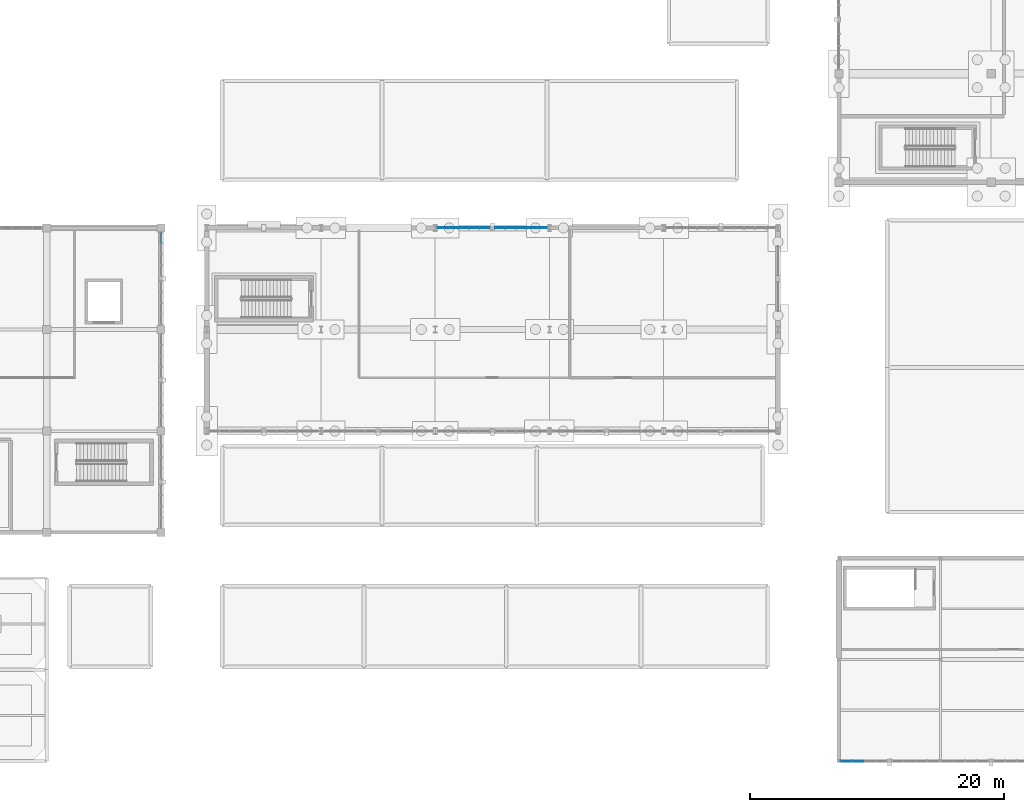
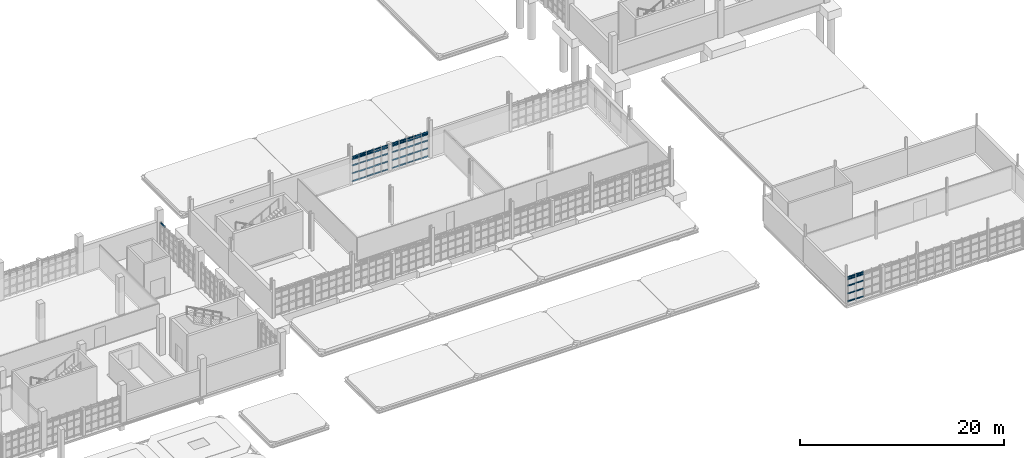
# One storey, part 66 of 125: 61 members, 4 elements without a shape of their own.
"""IFC4 building model written with IfcOpenShell, lengths in metres."""

from ifc_helpers import new_model, si_unit, direction, frame, origin, origin_2d, place, context, subcontext, project, spatial, rectangle, extrude, material, material_profile, profile_set, type_object, element, aggregate, save


model = new_model("IFC4")

# Units and contexts
model_context = context("Model", 3, precision=1e-05, world=origin(), true_north=direction((0.0, 1.0)))
body_context = subcontext(model_context, "Body", "Model", "MODEL_VIEW")
ifc_project = project(units=[si_unit("LENGTHUNIT", "METRE"), si_unit("AREAUNIT", "SQUARE_METRE"), si_unit("VOLUMEUNIT", "CUBIC_METRE"), si_unit("PLANEANGLEUNIT", "RADIAN"), si_unit("MASSUNIT", "GRAM", prefix="KILO")], contexts=[model_context])

# Site, building, storey
site_placement = place(None, origin())
site = spatial("IfcSite", under=ifc_project, at=site_placement, CompositionType="ELEMENT")
building_placement = place(site_placement, origin())
building = spatial("IfcBuilding", under=site, at=building_placement, Name="Serraforn Aerial Cableway Station", CompositionType="ELEMENT")
storey_placement = place(building_placement, frame((0.0, 0.0, 4.5)))
storey = spatial("IfcBuildingStorey", under=building, at=storey_placement, Name="L01", CompositionType="ELEMENT", Elevation=4.5)

# Curtain wall, members
ifc_material_1 = material(Name="Anodised bronze unitised curtain wall")
curtain_wall_type_1 = type_object("IfcCurtainWallType", Name="CW-SYS-3", PredefinedType="USERDEFINED", material=ifc_material_1)
curtain_wall_1_placement = place(storey_placement, origin())
curtain_wall_1 = element("IfcCurtainWall", 1, at=curtain_wall_1_placement, inside=storey, type_object=curtain_wall_type_1, Name="Unitised Curtain Wall CW-ES-L01-S1A", ObjectType="UNITISED CURTAIN WALL", PredefinedType="USERDEFINED")
ifc_material_2 = material(Name="Anodised bronze extruded aluminium", Category="aluminium")
ifc_material_profile_1 = material_profile(ifc_material_2, rectangle(XDim=0.054931640625, YDim=0.110107421875, at=origin_2d()), Name="CW TRANSOM 55x110")
ifc_profile_set_1 = profile_set([ifc_material_profile_1], Name="Anodised bronze extruded aluminium")
member_type_1 = type_object("IfcMemberType", Name="CW-TRN-1", PredefinedType="USERDEFINED", material=ifc_profile_set_1)
member_1_placement = place(storey_placement, frame((144.166015625, 0.0, 1.060791015625), z_axis=(1.0, 0.0, 0.0), x_axis=(0.0, 1.0, 0.0)))
member_1 = element("IfcMember", 2, at=member_1_placement, type_object=member_type_1, Name="Curtain Wall Transom CW-ES-L01-S1A-T1-2", ObjectType="TRANSOM", PredefinedType="USERDEFINED", context=body_context, shape_type="SweptSolid", body=[
    extrude(rectangle(XDim=0.054931640625, YDim=0.110107421875, at=origin_2d()), origin(), (0.0, 0.0, 1.0), 0.826904296875),
])
member_2_placement = place(storey_placement, frame((145.06396484375, 0.0, 0.124755859375), z_axis=(1.0, 0.0, 0.0), x_axis=(0.0, 1.0, 0.0)))
member_2 = element("IfcMember", 3, at=member_2_placement, type_object=member_type_1, Name="Curtain Wall Transom CW-ES-L01-S1A-T2-1", ObjectType="TRANSOM", PredefinedType="USERDEFINED", context=body_context, shape_type="SweptSolid", body=[
    extrude(rectangle(XDim=0.054931640625, YDim=0.110107421875, at=origin_2d()), origin(), (0.0, 0.0, 1.0), 0.86962890625),
])

curtain_wall_type_2 = type_object("IfcCurtainWallType", Name="CW-SYS-15", PredefinedType="USERDEFINED", material=ifc_material_1)
curtain_wall_2_placement = place(storey_placement, origin())
curtain_wall_2 = element("IfcCurtainWall", 4, at=curtain_wall_2_placement, inside=storey, type_object=curtain_wall_type_2, Name="Unitised Curtain Wall CW-EL-L01-N3A", ObjectType="UNITISED CURTAIN WALL", PredefinedType="USERDEFINED")
member_3_placement = place(storey_placement, frame((120.9990234375, 42.0, 2.9951171875), z_axis=(-1.0, 0.0, 0.0), x_axis=(0.0, -1.0, 0.0)))
member_3 = element("IfcMember", 5, at=member_3_placement, type_object=member_type_1, Name="Curtain Wall Transom CW-EL-L01-N3A-T1-5", ObjectType="TRANSOM", PredefinedType="USERDEFINED", context=body_context, shape_type="SweptSolid", body=[
    extrude(rectangle(XDim=0.054931640625, YDim=0.110107421875, at=origin_2d()), origin(), (0.0, 0.0, 1.0), 0.75341796875),
])
member_4_placement = place(storey_placement, frame((120.189697265625, 42.0, 2.74560546875), z_axis=(-1.0, 0.0, 0.0), x_axis=(0.0, -1.0, 0.0)))
member_4 = element("IfcMember", 6, at=member_4_placement, type_object=member_type_1, Name="Curtain Wall Transom CW-EL-L01-N3A-T2-4", ObjectType="TRANSOM", PredefinedType="USERDEFINED", context=body_context, shape_type="SweptSolid", body=[
    extrude(rectangle(XDim=0.054931640625, YDim=0.110107421875, at=origin_2d()), origin(), (0.0, 0.0, 1.0), 0.77587890625),
])
member_5_placement = place(storey_placement, frame((119.352783203125, 42.0, 1.996826171875), z_axis=(-1.0, 0.0, 0.0), x_axis=(0.0, -1.0, 0.0)))
member_5 = element("IfcMember", 7, at=member_5_placement, type_object=member_type_1, Name="Curtain Wall Transom CW-EL-L01-N3A-T3-3", ObjectType="TRANSOM", PredefinedType="USERDEFINED", context=body_context, shape_type="SweptSolid", body=[
    extrude(rectangle(XDim=0.054931640625, YDim=0.110107421875, at=origin_2d()), origin(), (0.0, 0.0, 1.0), 0.77099609375),
])
member_6_placement = place(storey_placement, frame((118.515869140625, 42.0, 1.060791015625), z_axis=(-1.0, 0.0, 0.0), x_axis=(0.0, -1.0, 0.0)))
member_6 = element("IfcMember", 8, at=member_6_placement, type_object=member_type_1, Name="Curtain Wall Transom CW-EL-L01-N3A-T4-2", ObjectType="TRANSOM", PredefinedType="USERDEFINED", context=body_context, shape_type="SweptSolid", body=[
    extrude(rectangle(XDim=0.054931640625, YDim=0.110107421875, at=origin_2d()), origin(), (0.0, 0.0, 1.0), 0.765869140625),
])
member_7_placement = place(storey_placement, frame((117.678955078125, 42.0, 0.124755859375), z_axis=(-1.0, 0.0, 0.0), x_axis=(0.0, -1.0, 0.0)))
member_7 = element("IfcMember", 9, at=member_7_placement, type_object=member_type_1, Name="Curtain Wall Transom CW-EL-L01-N3A-T5-1", ObjectType="TRANSOM", PredefinedType="USERDEFINED", context=body_context, shape_type="SweptSolid", body=[
    extrude(rectangle(XDim=0.054931640625, YDim=0.110107421875, at=origin_2d()), origin(), (0.0, 0.0, 1.0), 0.745849609375),
])

curtain_wall_type_3 = type_object("IfcCurtainWallType", Name="CW-SYS-16", PredefinedType="USERDEFINED", material=ifc_material_1)
curtain_wall_3_placement = place(storey_placement, origin())
curtain_wall_3 = element("IfcCurtainWall", 10, at=curtain_wall_3_placement, inside=storey, type_object=curtain_wall_type_3, Name="Unitised Curtain Wall CW-EL-L01-N3B", ObjectType="UNITISED CURTAIN WALL", PredefinedType="USERDEFINED")
member_8_placement = place(storey_placement, frame((116.4619140625, 42.0, 2.74560546875), z_axis=(-1.0, 0.0, 0.0), x_axis=(0.0, -1.0, 0.0)))
member_8 = element("IfcMember", 11, at=member_8_placement, type_object=member_type_1, Name="Curtain Wall Transom CW-EL-L01-N3B-T1-4", ObjectType="TRANSOM", PredefinedType="USERDEFINED", context=body_context, shape_type="SweptSolid", body=[
    extrude(rectangle(XDim=0.054931640625, YDim=0.110107421875, at=origin_2d()), origin(), (0.0, 0.0, 1.0), 0.745849609375),
])
member_9_placement = place(storey_placement, frame((115.655029296875, 42.0, 1.996826171875), z_axis=(-1.0, 0.0, 0.0), x_axis=(0.0, -1.0, 0.0)))
member_9 = element("IfcMember", 12, at=member_9_placement, type_object=member_type_1, Name="Curtain Wall Transom CW-EL-L01-N3B-T2-3", ObjectType="TRANSOM", PredefinedType="USERDEFINED", context=body_context, shape_type="SweptSolid", body=[
    extrude(rectangle(XDim=0.054931640625, YDim=0.110107421875, at=origin_2d()), origin(), (0.0, 0.0, 1.0), 0.770751953125),
])
member_10_placement = place(storey_placement, frame((114.818115234375, 42.0, 1.060791015625), z_axis=(-1.0, 0.0, 0.0), x_axis=(0.0, -1.0, 0.0)))
member_10 = element("IfcMember", 13, at=member_10_placement, type_object=member_type_1, Name="Curtain Wall Transom CW-EL-L01-N3B-T3-2", ObjectType="TRANSOM", PredefinedType="USERDEFINED", context=body_context, shape_type="SweptSolid", body=[
    extrude(rectangle(XDim=0.054931640625, YDim=0.110107421875, at=origin_2d()), origin(), (0.0, 0.0, 1.0), 0.765869140625),
])
member_11_placement = place(storey_placement, frame((113.981201171875, 42.0, 0.124755859375), z_axis=(-1.0, 0.0, 0.0), x_axis=(0.0, -1.0, 0.0)))
member_11 = element("IfcMember", 14, at=member_11_placement, type_object=member_type_1, Name="Curtain Wall Transom CW-EL-L01-N3B-T4-1", ObjectType="TRANSOM", PredefinedType="USERDEFINED", context=body_context, shape_type="SweptSolid", body=[
    extrude(rectangle(XDim=0.054931640625, YDim=0.110107421875, at=origin_2d()), origin(), (0.0, 0.0, 1.0), 0.773193359375),
])
member_12_placement = place(storey_placement, frame((113.156982421875, 42.0, 2.9951171875), z_axis=(-1.0, 0.0, 0.0), x_axis=(0.0, -1.0, 0.0)))
member_12 = element("IfcMember", 15, at=member_12_placement, type_object=member_type_1, Name="Curtain Wall Transom CW-EL-L01-N3B-T5-5", ObjectType="TRANSOM", PredefinedType="USERDEFINED", context=body_context, shape_type="SweptSolid", body=[
    extrude(rectangle(XDim=0.054931640625, YDim=0.110107421875, at=origin_2d()), origin(), (0.0, 0.0, 1.0), 0.7509765625),
])

# Member
ifc_material_profile_2 = material_profile(ifc_material_2, rectangle(XDim=0.06005859375, YDim=0.1201171875, at=origin_2d()), Name="CW TRANSOM 60x120")
ifc_profile_set_2 = profile_set([ifc_material_profile_2], Name="Anodised bronze extruded aluminium")
member_type_2 = type_object("IfcMemberType", Name="CW-TRN-2", PredefinedType="USERDEFINED", material=ifc_profile_set_2)
member_13_placement = place(storey_placement, frame((144.166015625, 0.0, 1.996826171875), z_axis=(1.0, 0.0, 0.0), x_axis=(0.0, 1.0, 0.0)))
member_13 = element("IfcMember", 16, at=member_13_placement, type_object=member_type_2, Name="Curtain Wall Transom CW-ES-L01-S1A-T1-3", ObjectType="TRANSOM", PredefinedType="USERDEFINED", context=body_context, shape_type="SweptSolid", body=[
    extrude(rectangle(XDim=0.06005859375, YDim=0.1201171875, at=origin_2d()), origin(), (0.0, 0.0, 1.0), 0.826904296875),
])

member_14_placement = place(storey_placement, frame((145.06396484375, 0.0, 1.060791015625), z_axis=(1.0, 0.0, 0.0), x_axis=(0.0, 1.0, 0.0)))
member_14 = element("IfcMember", 17, at=member_14_placement, type_object=member_type_2, Name="Curtain Wall Transom CW-ES-L01-S1A-T2-2", ObjectType="TRANSOM", PredefinedType="USERDEFINED", context=body_context, shape_type="SweptSolid", body=[
    extrude(rectangle(XDim=0.06005859375, YDim=0.1201171875, at=origin_2d()), origin(), (0.0, 0.0, 1.0), 0.86962890625),
])

member_15_placement = place(storey_placement, frame((120.9990234375, 42.0, 0.124755859375), z_axis=(-1.0, 0.0, 0.0), x_axis=(0.0, -1.0, 0.0)))
member_15 = element("IfcMember", 18, at=member_15_placement, type_object=member_type_2, Name="Curtain Wall Transom CW-EL-L01-N3A-T1-1", ObjectType="TRANSOM", PredefinedType="USERDEFINED", context=body_context, shape_type="SweptSolid", body=[
    extrude(rectangle(XDim=0.06005859375, YDim=0.1201171875, at=origin_2d()), origin(), (0.0, 0.0, 1.0), 0.75341796875),
])

member_16_placement = place(storey_placement, frame((120.189697265625, 42.0, 2.9951171875), z_axis=(-1.0, 0.0, 0.0), x_axis=(0.0, -1.0, 0.0)))
member_16 = element("IfcMember", 19, at=member_16_placement, type_object=member_type_2, Name="Curtain Wall Transom CW-EL-L01-N3A-T2-5", ObjectType="TRANSOM", PredefinedType="USERDEFINED", context=body_context, shape_type="SweptSolid", body=[
    extrude(rectangle(XDim=0.06005859375, YDim=0.1201171875, at=origin_2d()), origin(), (0.0, 0.0, 1.0), 0.77587890625),
])

member_17_placement = place(storey_placement, frame((119.352783203125, 42.0, 2.74560546875), z_axis=(-1.0, 0.0, 0.0), x_axis=(0.0, -1.0, 0.0)))
member_17 = element("IfcMember", 20, at=member_17_placement, type_object=member_type_2, Name="Curtain Wall Transom CW-EL-L01-N3A-T3-4", ObjectType="TRANSOM", PredefinedType="USERDEFINED", context=body_context, shape_type="SweptSolid", body=[
    extrude(rectangle(XDim=0.06005859375, YDim=0.1201171875, at=origin_2d()), origin(), (0.0, 0.0, 1.0), 0.77099609375),
])

member_18_placement = place(storey_placement, frame((118.515869140625, 42.0, 1.996826171875), z_axis=(-1.0, 0.0, 0.0), x_axis=(0.0, -1.0, 0.0)))
member_18 = element("IfcMember", 21, at=member_18_placement, type_object=member_type_2, Name="Curtain Wall Transom CW-EL-L01-N3A-T4-3", ObjectType="TRANSOM", PredefinedType="USERDEFINED", context=body_context, shape_type="SweptSolid", body=[
    extrude(rectangle(XDim=0.06005859375, YDim=0.1201171875, at=origin_2d()), origin(), (0.0, 0.0, 1.0), 0.765869140625),
])

member_19_placement = place(storey_placement, frame((117.678955078125, 42.0, 1.060791015625), z_axis=(-1.0, 0.0, 0.0), x_axis=(0.0, -1.0, 0.0)))
member_19 = element("IfcMember", 22, at=member_19_placement, type_object=member_type_2, Name="Curtain Wall Transom CW-EL-L01-N3A-T5-2", ObjectType="TRANSOM", PredefinedType="USERDEFINED", context=body_context, shape_type="SweptSolid", body=[
    extrude(rectangle(XDim=0.06005859375, YDim=0.1201171875, at=origin_2d()), origin(), (0.0, 0.0, 1.0), 0.745849609375),
])

member_20_placement = place(storey_placement, frame((116.4619140625, 42.0, 2.9951171875), z_axis=(-1.0, 0.0, 0.0), x_axis=(0.0, -1.0, 0.0)))
member_20 = element("IfcMember", 23, at=member_20_placement, type_object=member_type_2, Name="Curtain Wall Transom CW-EL-L01-N3B-T1-5", ObjectType="TRANSOM", PredefinedType="USERDEFINED", context=body_context, shape_type="SweptSolid", body=[
    extrude(rectangle(XDim=0.06005859375, YDim=0.1201171875, at=origin_2d()), origin(), (0.0, 0.0, 1.0), 0.745849609375),
])

member_21_placement = place(storey_placement, frame((115.655029296875, 42.0, 2.74560546875), z_axis=(-1.0, 0.0, 0.0), x_axis=(0.0, -1.0, 0.0)))
member_21 = element("IfcMember", 24, at=member_21_placement, type_object=member_type_2, Name="Curtain Wall Transom CW-EL-L01-N3B-T2-4", ObjectType="TRANSOM", PredefinedType="USERDEFINED", context=body_context, shape_type="SweptSolid", body=[
    extrude(rectangle(XDim=0.06005859375, YDim=0.1201171875, at=origin_2d()), origin(), (0.0, 0.0, 1.0), 0.770751953125),
])

member_22_placement = place(storey_placement, frame((114.818115234375, 42.0, 1.996826171875), z_axis=(-1.0, 0.0, 0.0), x_axis=(0.0, -1.0, 0.0)))
member_22 = element("IfcMember", 25, at=member_22_placement, type_object=member_type_2, Name="Curtain Wall Transom CW-EL-L01-N3B-T3-3", ObjectType="TRANSOM", PredefinedType="USERDEFINED", context=body_context, shape_type="SweptSolid", body=[
    extrude(rectangle(XDim=0.06005859375, YDim=0.1201171875, at=origin_2d()), origin(), (0.0, 0.0, 1.0), 0.765869140625),
])

member_23_placement = place(storey_placement, frame((113.981201171875, 42.0, 1.060791015625), z_axis=(-1.0, 0.0, 0.0), x_axis=(0.0, -1.0, 0.0)))
member_23 = element("IfcMember", 26, at=member_23_placement, type_object=member_type_2, Name="Curtain Wall Transom CW-EL-L01-N3B-T4-2", ObjectType="TRANSOM", PredefinedType="USERDEFINED", context=body_context, shape_type="SweptSolid", body=[
    extrude(rectangle(XDim=0.06005859375, YDim=0.1201171875, at=origin_2d()), origin(), (0.0, 0.0, 1.0), 0.773193359375),
])

member_24_placement = place(storey_placement, frame((113.156982421875, 42.0, 0.124755859375), z_axis=(-1.0, 0.0, 0.0), x_axis=(0.0, -1.0, 0.0)))
member_24 = element("IfcMember", 27, at=member_24_placement, type_object=member_type_2, Name="Curtain Wall Transom CW-EL-L01-N3B-T5-1", ObjectType="TRANSOM", PredefinedType="USERDEFINED", context=body_context, shape_type="SweptSolid", body=[
    extrude(rectangle(XDim=0.06005859375, YDim=0.1201171875, at=origin_2d()), origin(), (0.0, 0.0, 1.0), 0.7509765625),
])

ifc_material_profile_3 = material_profile(ifc_material_2, rectangle(XDim=0.06494140625, YDim=0.135009765625, at=origin_2d()), Name="CW TRANSOM 65x135")
ifc_profile_set_3 = profile_set([ifc_material_profile_3], Name="Anodised bronze extruded aluminium")
member_type_3 = type_object("IfcMemberType", Name="CW-TRN-3", PredefinedType="USERDEFINED", material=ifc_profile_set_3)
member_25_placement = place(storey_placement, frame((144.166015625, 0.0, 2.74560546875), z_axis=(1.0, 0.0, 0.0), x_axis=(0.0, 1.0, 0.0)))
member_25 = element("IfcMember", 28, at=member_25_placement, type_object=member_type_3, Name="Curtain Wall Transom CW-ES-L01-S1A-T1-4", ObjectType="TRANSOM", PredefinedType="USERDEFINED", context=body_context, shape_type="SweptSolid", body=[
    extrude(rectangle(XDim=0.06494140625, YDim=0.135009765625, at=origin_2d()), origin(), (0.0, 0.0, 1.0), 0.826904296875),
])

member_26_placement = place(storey_placement, frame((145.06396484375, 0.0, 1.996826171875), z_axis=(1.0, 0.0, 0.0), x_axis=(0.0, 1.0, 0.0)))
member_26 = element("IfcMember", 29, at=member_26_placement, type_object=member_type_3, Name="Curtain Wall Transom CW-ES-L01-S1A-T2-3", ObjectType="TRANSOM", PredefinedType="USERDEFINED", context=body_context, shape_type="SweptSolid", body=[
    extrude(rectangle(XDim=0.06494140625, YDim=0.135009765625, at=origin_2d()), origin(), (0.0, 0.0, 1.0), 0.86962890625),
])

member_27_placement = place(storey_placement, frame((120.9990234375, 42.0, 1.060791015625), z_axis=(-1.0, 0.0, 0.0), x_axis=(0.0, -1.0, 0.0)))
member_27 = element("IfcMember", 30, at=member_27_placement, type_object=member_type_3, Name="Curtain Wall Transom CW-EL-L01-N3A-T1-2", ObjectType="TRANSOM", PredefinedType="USERDEFINED", context=body_context, shape_type="SweptSolid", body=[
    extrude(rectangle(XDim=0.06494140625, YDim=0.135009765625, at=origin_2d()), origin(), (0.0, 0.0, 1.0), 0.75341796875),
])

member_28_placement = place(storey_placement, frame((120.189697265625, 42.0, 0.124755859375), z_axis=(-1.0, 0.0, 0.0), x_axis=(0.0, -1.0, 0.0)))
member_28 = element("IfcMember", 31, at=member_28_placement, type_object=member_type_3, Name="Curtain Wall Transom CW-EL-L01-N3A-T2-1", ObjectType="TRANSOM", PredefinedType="USERDEFINED", context=body_context, shape_type="SweptSolid", body=[
    extrude(rectangle(XDim=0.06494140625, YDim=0.135009765625, at=origin_2d()), origin(), (0.0, 0.0, 1.0), 0.77587890625),
])

member_29_placement = place(storey_placement, frame((119.352783203125, 42.0, 2.9951171875), z_axis=(-1.0, 0.0, 0.0), x_axis=(0.0, -1.0, 0.0)))
member_29 = element("IfcMember", 32, at=member_29_placement, type_object=member_type_3, Name="Curtain Wall Transom CW-EL-L01-N3A-T3-5", ObjectType="TRANSOM", PredefinedType="USERDEFINED", context=body_context, shape_type="SweptSolid", body=[
    extrude(rectangle(XDim=0.06494140625, YDim=0.135009765625, at=origin_2d()), origin(), (0.0, 0.0, 1.0), 0.77099609375),
])

member_30_placement = place(storey_placement, frame((118.515869140625, 42.0, 2.74560546875), z_axis=(-1.0, 0.0, 0.0), x_axis=(0.0, -1.0, 0.0)))
member_30 = element("IfcMember", 33, at=member_30_placement, type_object=member_type_3, Name="Curtain Wall Transom CW-EL-L01-N3A-T4-4", ObjectType="TRANSOM", PredefinedType="USERDEFINED", context=body_context, shape_type="SweptSolid", body=[
    extrude(rectangle(XDim=0.06494140625, YDim=0.135009765625, at=origin_2d()), origin(), (0.0, 0.0, 1.0), 0.765869140625),
])

member_31_placement = place(storey_placement, frame((117.678955078125, 42.0, 1.996826171875), z_axis=(-1.0, 0.0, 0.0), x_axis=(0.0, -1.0, 0.0)))
member_31 = element("IfcMember", 34, at=member_31_placement, type_object=member_type_3, Name="Curtain Wall Transom CW-EL-L01-N3A-T5-3", ObjectType="TRANSOM", PredefinedType="USERDEFINED", context=body_context, shape_type="SweptSolid", body=[
    extrude(rectangle(XDim=0.06494140625, YDim=0.135009765625, at=origin_2d()), origin(), (0.0, 0.0, 1.0), 0.745849609375),
])

member_32_placement = place(storey_placement, frame((116.4619140625, 42.0, 0.124755859375), z_axis=(-1.0, 0.0, 0.0), x_axis=(0.0, -1.0, 0.0)))
member_32 = element("IfcMember", 35, at=member_32_placement, type_object=member_type_3, Name="Curtain Wall Transom CW-EL-L01-N3B-T1-1", ObjectType="TRANSOM", PredefinedType="USERDEFINED", context=body_context, shape_type="SweptSolid", body=[
    extrude(rectangle(XDim=0.06494140625, YDim=0.135009765625, at=origin_2d()), origin(), (0.0, 0.0, 1.0), 0.745849609375),
])

member_33_placement = place(storey_placement, frame((115.655029296875, 42.0, 2.9951171875), z_axis=(-1.0, 0.0, 0.0), x_axis=(0.0, -1.0, 0.0)))
member_33 = element("IfcMember", 36, at=member_33_placement, type_object=member_type_3, Name="Curtain Wall Transom CW-EL-L01-N3B-T2-5", ObjectType="TRANSOM", PredefinedType="USERDEFINED", context=body_context, shape_type="SweptSolid", body=[
    extrude(rectangle(XDim=0.06494140625, YDim=0.135009765625, at=origin_2d()), origin(), (0.0, 0.0, 1.0), 0.770751953125),
])

member_34_placement = place(storey_placement, frame((114.818115234375, 42.0, 2.74560546875), z_axis=(-1.0, 0.0, 0.0), x_axis=(0.0, -1.0, 0.0)))
member_34 = element("IfcMember", 37, at=member_34_placement, type_object=member_type_3, Name="Curtain Wall Transom CW-EL-L01-N3B-T3-4", ObjectType="TRANSOM", PredefinedType="USERDEFINED", context=body_context, shape_type="SweptSolid", body=[
    extrude(rectangle(XDim=0.06494140625, YDim=0.135009765625, at=origin_2d()), origin(), (0.0, 0.0, 1.0), 0.765869140625),
])

member_35_placement = place(storey_placement, frame((113.981201171875, 42.0, 1.996826171875), z_axis=(-1.0, 0.0, 0.0), x_axis=(0.0, -1.0, 0.0)))
member_35 = element("IfcMember", 38, at=member_35_placement, type_object=member_type_3, Name="Curtain Wall Transom CW-EL-L01-N3B-T4-3", ObjectType="TRANSOM", PredefinedType="USERDEFINED", context=body_context, shape_type="SweptSolid", body=[
    extrude(rectangle(XDim=0.06494140625, YDim=0.135009765625, at=origin_2d()), origin(), (0.0, 0.0, 1.0), 0.773193359375),
])

member_36_placement = place(storey_placement, frame((113.156982421875, 42.0, 1.060791015625), z_axis=(-1.0, 0.0, 0.0), x_axis=(0.0, -1.0, 0.0)))
member_36 = element("IfcMember", 39, at=member_36_placement, type_object=member_type_3, Name="Curtain Wall Transom CW-EL-L01-N3B-T5-2", ObjectType="TRANSOM", PredefinedType="USERDEFINED", context=body_context, shape_type="SweptSolid", body=[
    extrude(rectangle(XDim=0.06494140625, YDim=0.135009765625, at=origin_2d()), origin(), (0.0, 0.0, 1.0), 0.7509765625),
])

# Curtain wall, member
curtain_wall_type_4 = type_object("IfcCurtainWallType", Name="CW-SYS-6", PredefinedType="USERDEFINED", material=ifc_material_1)
curtain_wall_4_placement = place(storey_placement, origin())
curtain_wall_4 = element("IfcCurtainWall", 40, at=curtain_wall_4_placement, inside=storey, type_object=curtain_wall_type_4, Name="Unitised Curtain Wall CW-CV-L01-E3B", ObjectType="UNITISED CURTAIN WALL", PredefinedType="USERDEFINED")
ifc_material_profile_4 = material_profile(ifc_material_2, rectangle(XDim=0.070068359375, YDim=0.14990234375, at=origin_2d()), Name="CW TRANSOM 70x150")
ifc_profile_set_4 = profile_set([ifc_material_profile_4], Name="Anodised bronze extruded aluminium")
member_type_4 = type_object("IfcMemberType", Name="CW-TRN-4", PredefinedType="USERDEFINED", material=ifc_profile_set_4)
member_37_placement = place(storey_placement, frame((90.60009765625, 40.835693359375, 2.9951171875), z_axis=(0.0, 1.0, 0.0), x_axis=(-1.0, 0.0, 0.0)))
member_37 = element("IfcMember", 41, at=member_37_placement, type_object=member_type_4, Name="Curtain Wall Transom CW-CV-L01-E3B-T4-5", ObjectType="TRANSOM", PredefinedType="USERDEFINED", context=body_context, shape_type="SweptSolid", body=[
    extrude(rectangle(XDim=0.070068359375, YDim=0.14990234375, at=origin_2d()), origin(), (0.0, 0.0, 1.0), 0.768310546875),
])
aggregate(curtain_wall_4, [member_37])

# Member
member_38_placement = place(storey_placement, frame((144.166015625, 0.0, 2.9951171875), z_axis=(1.0, 0.0, 0.0), x_axis=(0.0, 1.0, 0.0)))
member_38 = element("IfcMember", 42, at=member_38_placement, type_object=member_type_4, Name="Curtain Wall Transom CW-ES-L01-S1A-T1-5", ObjectType="TRANSOM", PredefinedType="USERDEFINED", context=body_context, shape_type="SweptSolid", body=[
    extrude(rectangle(XDim=0.070068359375, YDim=0.14990234375, at=origin_2d()), origin(), (0.0, 0.0, 1.0), 0.826904296875),
])

member_39_placement = place(storey_placement, frame((145.06396484375, 0.0, 2.74560546875), z_axis=(1.0, 0.0, 0.0), x_axis=(0.0, 1.0, 0.0)))
member_39 = element("IfcMember", 43, at=member_39_placement, type_object=member_type_4, Name="Curtain Wall Transom CW-ES-L01-S1A-T2-4", ObjectType="TRANSOM", PredefinedType="USERDEFINED", context=body_context, shape_type="SweptSolid", body=[
    extrude(rectangle(XDim=0.070068359375, YDim=0.14990234375, at=origin_2d()), origin(), (0.0, 0.0, 1.0), 0.86962890625),
])

member_40_placement = place(storey_placement, frame((120.9990234375, 42.0, 1.996826171875), z_axis=(-1.0, 0.0, 0.0), x_axis=(0.0, -1.0, 0.0)))
member_40 = element("IfcMember", 44, at=member_40_placement, type_object=member_type_4, Name="Curtain Wall Transom CW-EL-L01-N3A-T1-3", ObjectType="TRANSOM", PredefinedType="USERDEFINED", context=body_context, shape_type="SweptSolid", body=[
    extrude(rectangle(XDim=0.070068359375, YDim=0.14990234375, at=origin_2d()), origin(), (0.0, 0.0, 1.0), 0.75341796875),
])

member_41_placement = place(storey_placement, frame((120.189697265625, 42.0, 1.060791015625), z_axis=(-1.0, 0.0, 0.0), x_axis=(0.0, -1.0, 0.0)))
member_41 = element("IfcMember", 45, at=member_41_placement, type_object=member_type_4, Name="Curtain Wall Transom CW-EL-L01-N3A-T2-2", ObjectType="TRANSOM", PredefinedType="USERDEFINED", context=body_context, shape_type="SweptSolid", body=[
    extrude(rectangle(XDim=0.070068359375, YDim=0.14990234375, at=origin_2d()), origin(), (0.0, 0.0, 1.0), 0.77587890625),
])

member_42_placement = place(storey_placement, frame((119.352783203125, 42.0, 0.124755859375), z_axis=(-1.0, 0.0, 0.0), x_axis=(0.0, -1.0, 0.0)))
member_42 = element("IfcMember", 46, at=member_42_placement, type_object=member_type_4, Name="Curtain Wall Transom CW-EL-L01-N3A-T3-1", ObjectType="TRANSOM", PredefinedType="USERDEFINED", context=body_context, shape_type="SweptSolid", body=[
    extrude(rectangle(XDim=0.070068359375, YDim=0.14990234375, at=origin_2d()), origin(), (0.0, 0.0, 1.0), 0.77099609375),
])

member_43_placement = place(storey_placement, frame((118.515869140625, 42.0, 2.9951171875), z_axis=(-1.0, 0.0, 0.0), x_axis=(0.0, -1.0, 0.0)))
member_43 = element("IfcMember", 47, at=member_43_placement, type_object=member_type_4, Name="Curtain Wall Transom CW-EL-L01-N3A-T4-5", ObjectType="TRANSOM", PredefinedType="USERDEFINED", context=body_context, shape_type="SweptSolid", body=[
    extrude(rectangle(XDim=0.070068359375, YDim=0.14990234375, at=origin_2d()), origin(), (0.0, 0.0, 1.0), 0.765869140625),
])

member_44_placement = place(storey_placement, frame((117.678955078125, 42.0, 2.74560546875), z_axis=(-1.0, 0.0, 0.0), x_axis=(0.0, -1.0, 0.0)))
member_44 = element("IfcMember", 48, at=member_44_placement, type_object=member_type_4, Name="Curtain Wall Transom CW-EL-L01-N3A-T5-4", ObjectType="TRANSOM", PredefinedType="USERDEFINED", context=body_context, shape_type="SweptSolid", body=[
    extrude(rectangle(XDim=0.070068359375, YDim=0.14990234375, at=origin_2d()), origin(), (0.0, 0.0, 1.0), 0.745849609375),
])

member_45_placement = place(storey_placement, frame((116.4619140625, 42.0, 1.060791015625), z_axis=(-1.0, 0.0, 0.0), x_axis=(0.0, -1.0, 0.0)))
member_45 = element("IfcMember", 49, at=member_45_placement, type_object=member_type_4, Name="Curtain Wall Transom CW-EL-L01-N3B-T1-2", ObjectType="TRANSOM", PredefinedType="USERDEFINED", context=body_context, shape_type="SweptSolid", body=[
    extrude(rectangle(XDim=0.070068359375, YDim=0.14990234375, at=origin_2d()), origin(), (0.0, 0.0, 1.0), 0.745849609375),
])

member_46_placement = place(storey_placement, frame((115.655029296875, 42.0, 0.124755859375), z_axis=(-1.0, 0.0, 0.0), x_axis=(0.0, -1.0, 0.0)))
member_46 = element("IfcMember", 50, at=member_46_placement, type_object=member_type_4, Name="Curtain Wall Transom CW-EL-L01-N3B-T2-1", ObjectType="TRANSOM", PredefinedType="USERDEFINED", context=body_context, shape_type="SweptSolid", body=[
    extrude(rectangle(XDim=0.070068359375, YDim=0.14990234375, at=origin_2d()), origin(), (0.0, 0.0, 1.0), 0.770751953125),
])

member_47_placement = place(storey_placement, frame((114.818115234375, 42.0, 2.9951171875), z_axis=(-1.0, 0.0, 0.0), x_axis=(0.0, -1.0, 0.0)))
member_47 = element("IfcMember", 51, at=member_47_placement, type_object=member_type_4, Name="Curtain Wall Transom CW-EL-L01-N3B-T3-5", ObjectType="TRANSOM", PredefinedType="USERDEFINED", context=body_context, shape_type="SweptSolid", body=[
    extrude(rectangle(XDim=0.070068359375, YDim=0.14990234375, at=origin_2d()), origin(), (0.0, 0.0, 1.0), 0.765869140625),
])

member_48_placement = place(storey_placement, frame((113.981201171875, 42.0, 2.74560546875), z_axis=(-1.0, 0.0, 0.0), x_axis=(0.0, -1.0, 0.0)))
member_48 = element("IfcMember", 52, at=member_48_placement, type_object=member_type_4, Name="Curtain Wall Transom CW-EL-L01-N3B-T4-4", ObjectType="TRANSOM", PredefinedType="USERDEFINED", context=body_context, shape_type="SweptSolid", body=[
    extrude(rectangle(XDim=0.070068359375, YDim=0.14990234375, at=origin_2d()), origin(), (0.0, 0.0, 1.0), 0.773193359375),
])

member_49_placement = place(storey_placement, frame((113.156982421875, 42.0, 1.996826171875), z_axis=(-1.0, 0.0, 0.0), x_axis=(0.0, -1.0, 0.0)))
member_49 = element("IfcMember", 53, at=member_49_placement, type_object=member_type_4, Name="Curtain Wall Transom CW-EL-L01-N3B-T5-3", ObjectType="TRANSOM", PredefinedType="USERDEFINED", context=body_context, shape_type="SweptSolid", body=[
    extrude(rectangle(XDim=0.070068359375, YDim=0.14990234375, at=origin_2d()), origin(), (0.0, 0.0, 1.0), 0.7509765625),
])

ifc_material_profile_5 = material_profile(ifc_material_2, rectangle(XDim=0.074951171875, YDim=0.1650390625, at=origin_2d()), Name="CW TRANSOM 75x165")
ifc_profile_set_5 = profile_set([ifc_material_profile_5], Name="Anodised bronze extruded aluminium")
member_type_5 = type_object("IfcMemberType", Name="CW-TRN-5", PredefinedType="USERDEFINED", material=ifc_profile_set_5)
member_50_placement = place(storey_placement, frame((144.166015625, 0.0, 0.124755859375), z_axis=(1.0, 0.0, 0.0), x_axis=(0.0, 1.0, 0.0)))
member_50 = element("IfcMember", 54, at=member_50_placement, type_object=member_type_5, Name="Curtain Wall Transom CW-ES-L01-S1A-T1-1", ObjectType="TRANSOM", PredefinedType="USERDEFINED", context=body_context, shape_type="SweptSolid", body=[
    extrude(rectangle(XDim=0.074951171875, YDim=0.1650390625, at=origin_2d()), origin(), (0.0, 0.0, 1.0), 0.826904296875),
])

member_51_placement = place(storey_placement, frame((145.06396484375, 0.0, 2.9951171875), z_axis=(1.0, 0.0, 0.0), x_axis=(0.0, 1.0, 0.0)))
member_51 = element("IfcMember", 55, at=member_51_placement, type_object=member_type_5, Name="Curtain Wall Transom CW-ES-L01-S1A-T2-5", ObjectType="TRANSOM", PredefinedType="USERDEFINED", context=body_context, shape_type="SweptSolid", body=[
    extrude(rectangle(XDim=0.074951171875, YDim=0.1650390625, at=origin_2d()), origin(), (0.0, 0.0, 1.0), 0.86962890625),
])

aggregate(curtain_wall_1, [member_50, member_1, member_13, member_25, member_38, member_2, member_14, member_26, member_39, member_51])

member_52_placement = place(storey_placement, frame((120.9990234375, 42.0, 2.74560546875), z_axis=(-1.0, 0.0, 0.0), x_axis=(0.0, -1.0, 0.0)))
member_52 = element("IfcMember", 56, at=member_52_placement, type_object=member_type_5, Name="Curtain Wall Transom CW-EL-L01-N3A-T1-4", ObjectType="TRANSOM", PredefinedType="USERDEFINED", context=body_context, shape_type="SweptSolid", body=[
    extrude(rectangle(XDim=0.074951171875, YDim=0.1650390625, at=origin_2d()), origin(), (0.0, 0.0, 1.0), 0.75341796875),
])

member_53_placement = place(storey_placement, frame((120.189697265625, 42.0, 1.996826171875), z_axis=(-1.0, 0.0, 0.0), x_axis=(0.0, -1.0, 0.0)))
member_53 = element("IfcMember", 57, at=member_53_placement, type_object=member_type_5, Name="Curtain Wall Transom CW-EL-L01-N3A-T2-3", ObjectType="TRANSOM", PredefinedType="USERDEFINED", context=body_context, shape_type="SweptSolid", body=[
    extrude(rectangle(XDim=0.074951171875, YDim=0.1650390625, at=origin_2d()), origin(), (0.0, 0.0, 1.0), 0.77587890625),
])

member_54_placement = place(storey_placement, frame((119.352783203125, 42.0, 1.060791015625), z_axis=(-1.0, 0.0, 0.0), x_axis=(0.0, -1.0, 0.0)))
member_54 = element("IfcMember", 58, at=member_54_placement, type_object=member_type_5, Name="Curtain Wall Transom CW-EL-L01-N3A-T3-2", ObjectType="TRANSOM", PredefinedType="USERDEFINED", context=body_context, shape_type="SweptSolid", body=[
    extrude(rectangle(XDim=0.074951171875, YDim=0.1650390625, at=origin_2d()), origin(), (0.0, 0.0, 1.0), 0.77099609375),
])

member_55_placement = place(storey_placement, frame((118.515869140625, 42.0, 0.124755859375), z_axis=(-1.0, 0.0, 0.0), x_axis=(0.0, -1.0, 0.0)))
member_55 = element("IfcMember", 59, at=member_55_placement, type_object=member_type_5, Name="Curtain Wall Transom CW-EL-L01-N3A-T4-1", ObjectType="TRANSOM", PredefinedType="USERDEFINED", context=body_context, shape_type="SweptSolid", body=[
    extrude(rectangle(XDim=0.074951171875, YDim=0.1650390625, at=origin_2d()), origin(), (0.0, 0.0, 1.0), 0.765869140625),
])

member_56_placement = place(storey_placement, frame((117.678955078125, 42.0, 2.9951171875), z_axis=(-1.0, 0.0, 0.0), x_axis=(0.0, -1.0, 0.0)))
member_56 = element("IfcMember", 60, at=member_56_placement, type_object=member_type_5, Name="Curtain Wall Transom CW-EL-L01-N3A-T5-5", ObjectType="TRANSOM", PredefinedType="USERDEFINED", context=body_context, shape_type="SweptSolid", body=[
    extrude(rectangle(XDim=0.074951171875, YDim=0.1650390625, at=origin_2d()), origin(), (0.0, 0.0, 1.0), 0.745849609375),
])

aggregate(curtain_wall_2, [member_15, member_27, member_40, member_52, member_3, member_28, member_41, member_53, member_4, member_16, member_42, member_54, member_5, member_17, member_29, member_55, member_6, member_18, member_30, member_43, member_7, member_19, member_31, member_44, member_56])

member_57_placement = place(storey_placement, frame((116.4619140625, 42.0, 1.996826171875), z_axis=(-1.0, 0.0, 0.0), x_axis=(0.0, -1.0, 0.0)))
member_57 = element("IfcMember", 61, at=member_57_placement, type_object=member_type_5, Name="Curtain Wall Transom CW-EL-L01-N3B-T1-3", ObjectType="TRANSOM", PredefinedType="USERDEFINED", context=body_context, shape_type="SweptSolid", body=[
    extrude(rectangle(XDim=0.074951171875, YDim=0.1650390625, at=origin_2d()), origin(), (0.0, 0.0, 1.0), 0.745849609375),
])

member_58_placement = place(storey_placement, frame((115.655029296875, 42.0, 1.060791015625), z_axis=(-1.0, 0.0, 0.0), x_axis=(0.0, -1.0, 0.0)))
member_58 = element("IfcMember", 62, at=member_58_placement, type_object=member_type_5, Name="Curtain Wall Transom CW-EL-L01-N3B-T2-2", ObjectType="TRANSOM", PredefinedType="USERDEFINED", context=body_context, shape_type="SweptSolid", body=[
    extrude(rectangle(XDim=0.074951171875, YDim=0.1650390625, at=origin_2d()), origin(), (0.0, 0.0, 1.0), 0.770751953125),
])

member_59_placement = place(storey_placement, frame((114.818115234375, 42.0, 0.124755859375), z_axis=(-1.0, 0.0, 0.0), x_axis=(0.0, -1.0, 0.0)))
member_59 = element("IfcMember", 63, at=member_59_placement, type_object=member_type_5, Name="Curtain Wall Transom CW-EL-L01-N3B-T3-1", ObjectType="TRANSOM", PredefinedType="USERDEFINED", context=body_context, shape_type="SweptSolid", body=[
    extrude(rectangle(XDim=0.074951171875, YDim=0.1650390625, at=origin_2d()), origin(), (0.0, 0.0, 1.0), 0.765869140625),
])

member_60_placement = place(storey_placement, frame((113.981201171875, 42.0, 2.9951171875), z_axis=(-1.0, 0.0, 0.0), x_axis=(0.0, -1.0, 0.0)))
member_60 = element("IfcMember", 64, at=member_60_placement, type_object=member_type_5, Name="Curtain Wall Transom CW-EL-L01-N3B-T4-5", ObjectType="TRANSOM", PredefinedType="USERDEFINED", context=body_context, shape_type="SweptSolid", body=[
    extrude(rectangle(XDim=0.074951171875, YDim=0.1650390625, at=origin_2d()), origin(), (0.0, 0.0, 1.0), 0.773193359375),
])

member_61_placement = place(storey_placement, frame((113.156982421875, 42.0, 2.74560546875), z_axis=(-1.0, 0.0, 0.0), x_axis=(0.0, -1.0, 0.0)))
member_61 = element("IfcMember", 65, at=member_61_placement, type_object=member_type_5, Name="Curtain Wall Transom CW-EL-L01-N3B-T5-4", ObjectType="TRANSOM", PredefinedType="USERDEFINED", context=body_context, shape_type="SweptSolid", body=[
    extrude(rectangle(XDim=0.074951171875, YDim=0.1650390625, at=origin_2d()), origin(), (0.0, 0.0, 1.0), 0.7509765625),
])

aggregate(curtain_wall_3, [member_32, member_45, member_57, member_8, member_20, member_46, member_58, member_9, member_21, member_33, member_59, member_10, member_22, member_34, member_47, member_11, member_23, member_35, member_48, member_60, member_24, member_36, member_49, member_61, member_12])

save(model, "model.ifc")
